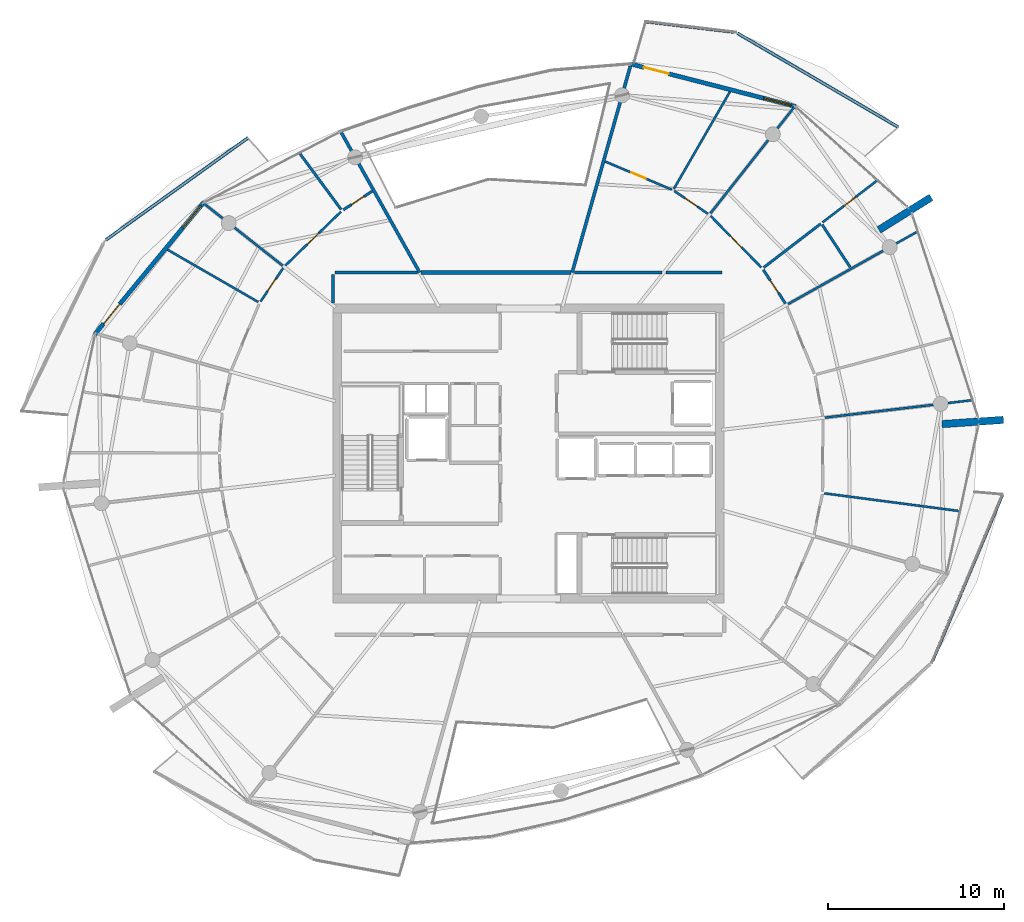
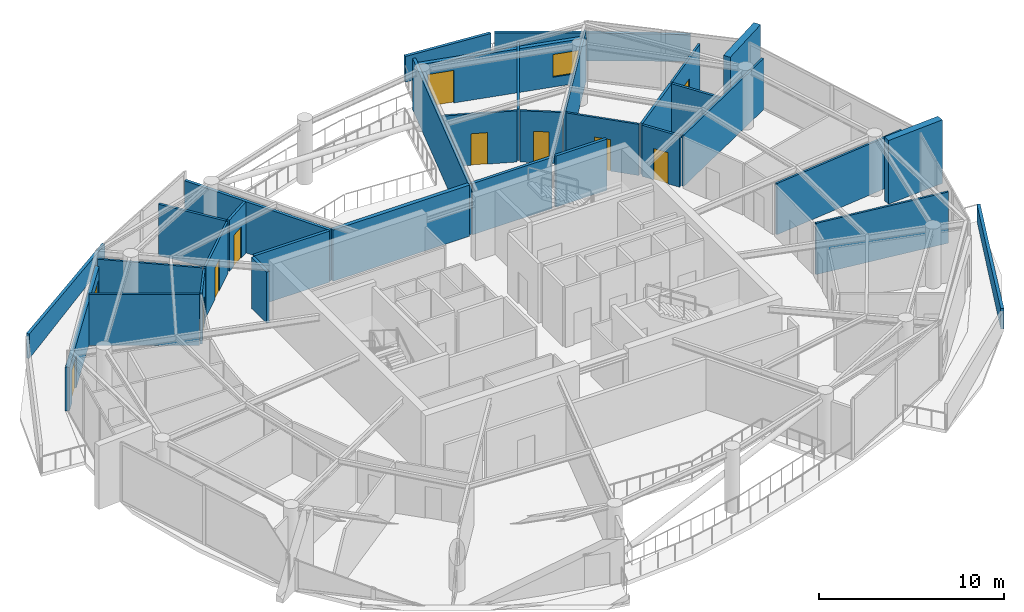
# One storey, part 16 of 22: 33 walls, 10 doors, 2 windows, 12 openings.
"""IFC4 building model written with IfcOpenShell, lengths in metres."""

from ifc_helpers import new_model, si_unit, direction, frame, frame_2d, origin, place, context, subcontext, project, spatial, polyline, rectangle, outline, extrude, material, layer, layer_set, type_object, element, fill, save


model = new_model("IFC4")

# Units and contexts
model_context = context("Model", 3, precision=1e-05, world=origin(), true_north=direction((0.0, 1.0)))
body_context = subcontext(model_context, "Body", "Model", "MODEL_VIEW")
ifc_project = project(units=[si_unit("LENGTHUNIT", "METRE"), si_unit("AREAUNIT", "SQUARE_METRE"), si_unit("VOLUMEUNIT", "CUBIC_METRE"), si_unit("PLANEANGLEUNIT", "RADIAN"), si_unit("MASSUNIT", "GRAM", prefix="KILO")], contexts=[model_context])

# Site, building, storey
site_placement = place(None, origin())
site = spatial("IfcSite", under=ifc_project, at=site_placement, CompositionType="ELEMENT")
building_placement = place(site_placement, origin())
building = spatial("IfcBuilding", under=site, at=building_placement, Name="Kazma Halo Residences", CompositionType="ELEMENT")
storey_placement = place(building_placement, frame((0.0, 0.0, 322.10009765625)))
storey = spatial("IfcBuildingStorey", under=building, at=storey_placement, Name="L81", CompositionType="ELEMENT", Elevation=322.10009765625)

# Walls
ifc_material_1 = material(Name="White Concrete C50/60 Balustrade", Category="concrete")
ifc_layer_1 = layer(ifc_material_1, 0.179931640625)
ifc_layer_set_1 = layer_set([ifc_layer_1], Name="White Concrete C50/60 Balustrade")
wall_type_1 = type_object("IfcWallType", Name="WL-BAL-WAVE-180", PredefinedType="PARAPET", material=ifc_layer_set_1)
wall_1_placement = place(storey_placement, frame((69.463134765625, 60.559326171875, 0.0), z_axis=(0.0, 0.0, 1.0), x_axis=(-0.863585787324, 0.504201931701, 0.0)))
element("IfcWall", 1, at=wall_1_placement, inside=storey, type_object=wall_type_1, Name="L81 white wave balustrade wall NE.1", PredefinedType="PARAPET", context=body_context, shape_type="SweptSolid", body=[
    extrude(outline(polyline([(0.0, 0.0), (10.595458984375, 0.0), (10.595703125, 1.831787109375), (5.2978515625, 1.852783203125), (0.0, 1.755859375), (0.0, 0.0)])), frame((0.0, 0.08984375, 0.0), z_axis=(0.0, -1.0, 0.0), x_axis=(1.0, 0.0, 0.0)), (0.0, 0.0, 1.0), 0.179931640625),
])
wall_2_placement = place(storey_placement, frame((60.090087890625, 65.976318359375, 0.0), z_axis=(0.0, 0.0, 1.0), x_axis=(-0.993029560094, 0.117865570802, 0.0)))
element("IfcWall", 2, at=wall_2_placement, inside=storey, type_object=wall_type_1, Name="L81 white wave balustrade wall NE.2", PredefinedType="PARAPET", context=body_context, shape_type="SweptSolid", body=[
    extrude(outline(polyline([(0.0, 0.0), (5.033447265625, 0.0), (5.03369140625, 1.700927734375), (0.0, 1.831787109375), (0.0, 0.0)])), frame((0.0, 0.08984375, 0.0), z_axis=(0.0, -1.0, 0.0), x_axis=(1.0, 0.0, 0.0)), (0.0, 0.0, 1.0), 0.179931640625),
])
wall_3_placement = place(storey_placement, frame((32.468994140625, 59.961181640625, 0.0), z_axis=(0.0, 0.0, 1.0), x_axis=(-0.812019730163, -0.583629983659, 0.0)))
element("IfcWall", 3, at=wall_3_placement, inside=storey, type_object=wall_type_1, Name="L81 white wave balustrade wall NW.1", PredefinedType="PARAPET", context=body_context, shape_type="SweptSolid", body=[
    extrude(outline(polyline([(0.0, 0.0), (9.9541015625, 0.0), (9.954345703125, 1.6318359375), (4.97705078125, 1.41796875), (0.0, 1.23291015625), (0.0, 0.0)])), frame((0.0, 0.08984375, 0.0), z_axis=(0.0, -1.0, 0.0), x_axis=(1.0, 0.0, 0.0)), (0.0, 0.0, 1.0), 0.179931640625),
])
wall_4_placement = place(storey_placement, frame((71.4033203125, 30.209716796875, 0.0), z_axis=(0.0, 0.0, 1.0), x_axis=(0.38743619069, 0.921896522471, 0.0)))
element("IfcWall", 4, at=wall_4_placement, inside=storey, type_object=wall_type_1, Name="L81 white wave balustrade wall SE.2", PredefinedType="PARAPET", context=body_context, shape_type="SweptSolid", body=[
    extrude(outline(polyline([(0.0, 0.0), (10.268798828125, 0.0), (10.26904296875, 1.119873046875), (5.134521484375, 1.181884765625), (0.0, 1.347900390625), (0.0, 0.0)])), frame((0.0, 0.08984375, 0.0), z_axis=(0.0, -1.0, 0.0), x_axis=(1.0, 0.0, 0.0)), (0.0, 0.0, 1.0), 0.179931640625),
])
ifc_material_2 = material(Name="Pale Concrete C60/75", Category="concrete")
ifc_layer_2 = layer(ifc_material_2, 0.419921875)
ifc_layer_set_2 = layer_set([ifc_layer_2], Name="Pale Concrete C60/75")
wall_type_2 = type_object("IfcWallType", Name="WL-BLADE-420", PredefinedType="SOLIDWALL", material=ifc_layer_set_2)
for number, where, z_axis, x_axis, name in (
    (5, (68.3525390625, 54.7177734375, 0.0), (0.0, 0.0, 1.0), (0.848053161125, 0.529911158502, 0.0), "L81 pale concrete structural blade fin wall BW-01"),
    (6, (71.94091796875, 43.674072265625, 0.0), (0.0, 0.0, 1.0), (0.997564163539, 0.069754853754, 0.0), "L81 pale concrete structural blade fin wall BW-04"),
):
    element("IfcWall", number, at=place(storey_placement, frame(where, z_axis=z_axis, x_axis=x_axis)), inside=storey, type_object=wall_type_2, Name=name, PredefinedType="SOLIDWALL", context=body_context, shape_type="SweptSolid", body=[
        extrude(rectangle(XDim=3.5, YDim=0.419921875, at=frame_2d((1.75, 0.0))), origin(), (0.0, 0.0, 1.0), 4.199951171875),
    ])
ifc_material_3 = material(Name="Acoustic Twin-Stud Gypsum")
ifc_layer_3 = layer(ifc_material_3, 0.179931640625)
ifc_layer_set_3 = layer_set([ifc_layer_3], Name="Acoustic Twin-Stud Gypsum")
wall_type_3 = type_object("IfcWallType", Name="WL-DEM-180", PredefinedType="PARTITIONING", material=ifc_layer_set_3)
wall_5_placement = place(storey_placement, frame((50.90478515625, 52.300048828125, 0.0), z_axis=(0.0, 0.0, 1.0), x_axis=(0.271453030279, 0.962451688321, 0.0)))
element("IfcWall", 7, at=wall_5_placement, inside=storey, type_object=wall_type_3, Name="L81 apartment demising radial wall 02", PredefinedType="PARTITIONING", context=body_context, shape_type="SweptSolid", body=[
    extrude(rectangle(XDim=12.191162109375, YDim=0.179931640625, at=frame_2d((6.095703125, 0.0))), origin(), (0.0, 0.0, 1.0), 3.3798828125),
])
wall_6_placement = place(storey_placement, frame((42.231689453125, 52.300048828125, 0.0), z_axis=(0.0, 0.0, 1.0), x_axis=(-0.488623665245, 0.872494649704, 0.0)))
element("IfcWall", 8, at=wall_6_placement, inside=storey, type_object=wall_type_3, Name="L81 apartment demising radial wall 04", PredefinedType="PARTITIONING", context=body_context, shape_type="SweptSolid", body=[
    extrude(rectangle(XDim=9.156982421875, YDim=0.179931640625, at=frame_2d((4.57861328125, 0.0))), origin(), (0.0, 0.0, 1.0), 3.3798828125),
])
wall_7_placement = place(storey_placement, frame((42.11181640625, 52.300048828125, 0.0), z_axis=(0.0, 0.0, 1.0), x_axis=(-1.0, 0.0, 0.0)))
element("IfcWall", 9, at=wall_7_placement, inside=storey, type_object=wall_type_3, Name="L81 Penthouse 1 inner wall 4", PredefinedType="PARTITIONING", context=body_context, shape_type="SweptSolid", body=[
    extrude(rectangle(XDim=4.69189453125, YDim=0.179931640625, at=frame_2d((2.345947265625, 0.0))), origin(), (0.0, 0.0, 1.0), 3.3798828125),
])
wall_8_placement = place(storey_placement, frame((37.300048828125, 52.179931640625, 0.0), z_axis=(0.0, 0.0, 1.0), x_axis=(0.0, -1.0, 0.0)))
element("IfcWall", 10, at=wall_8_placement, inside=storey, type_object=wall_type_3, Name="L81 Penthouse 1 inner wall 4", PredefinedType="PARTITIONING", context=body_context, shape_type="SweptSolid", body=[
    extrude(rectangle(XDim=1.624755859375, YDim=0.179931640625, at=frame_2d((0.8125, 0.0))), origin(), (0.0, 0.0, 1.0), 3.3798828125),
])
wall_9_placement = place(storey_placement, frame((59.429931640625, 52.300048828125, 0.0), z_axis=(0.0, 0.0, 1.0), x_axis=(-1.0, 0.0, 0.0)))
element("IfcWall", 11, at=wall_9_placement, inside=storey, type_object=wall_type_3, Name="L81 Penthouse 2 inner wall 0", PredefinedType="PARTITIONING", context=body_context, shape_type="SweptSolid", body=[
    extrude(rectangle(XDim=3.18994140625, YDim=0.179931640625, at=frame_2d((1.594970703125, 0.0))), origin(), (0.0, 0.0, 1.0), 3.3798828125),
])
wall_10_placement = place(storey_placement, frame((56.0, 52.300048828125, 0.0), z_axis=(0.0, 0.0, 1.0), x_axis=(-1.0, 0.0, 0.0)))
element("IfcWall", 12, at=wall_10_placement, inside=storey, type_object=wall_type_3, Name="L81 Penthouse 2 inner wall 1", PredefinedType="PARTITIONING", context=body_context, shape_type="SweptSolid", body=[
    extrude(rectangle(XDim=4.97509765625, YDim=0.179931640625, at=frame_2d((2.487548828125, 0.0))), origin(), (0.0, 0.0, 1.0), 3.3798828125),
])

# Wall, openings, door, window
ifc_material_4 = material(Name="Insulated Pale-Metal Composite Wall")
ifc_layer_4 = layer(ifc_material_4, 0.239990234375)
ifc_layer_set_4 = layer_set([ifc_layer_4], Name="Insulated Pale-Metal Composite Wall")
wall_type_4 = type_object("IfcWallType", Name="WL-EXT-HOST-240", PredefinedType="SOLIDWALL", material=ifc_layer_set_4)
wall_11_placement = place(storey_placement, frame((63.619873046875, 61.73974609375, 0.0), z_axis=(0.0, 0.0, 1.0), x_axis=(-0.968389062354, 0.249444630957, 0.0)))
wall_11 = element("IfcWall", 13, at=wall_11_placement, inside=storey, type_object=wall_type_4, Name="L81 exterior terrace-access wall B02", PredefinedType="SOLIDWALL", context=body_context, shape_type="SweptSolid", body=[
    extrude(rectangle(XDim=9.677734375, YDim=0.239990234375, at=frame_2d((4.8388671875, 0.0))), origin(), (0.0, 0.0, 1.0), 2.889892578125),
])
opening_1_placement = place(wall_11_placement, frame((7.457763671875, 0.0, 0.0)))
opening_1 = element("IfcOpeningElement", 14, at=opening_1_placement, cuts=wall_11, Name="Opening DTR-1600", PredefinedType="OPENING", context=body_context, shape_type="SweptSolid", body=[
    extrude(rectangle(XDim=1.449951171875, YDim=2.14990234375, at=frame_2d((0.72509765625, 1.074951171875))), frame((0.0, 0.1298828125, 0.0), z_axis=(0.0, -1.0, 0.0), x_axis=(1.0, 0.0, 0.0)), (0.0, 0.0, 1.0), 0.260009765625),
])
opening_2_placement = place(wall_11_placement, frame((0.280029296875, 0.0, 0.64990234375)))
opening_2 = element("IfcOpeningElement", 15, at=opening_2_placement, cuts=wall_11, Name="Opening W-1800", PredefinedType="OPENING", context=body_context, shape_type="SweptSolid", body=[
    extrude(rectangle(XDim=1.60009765625, YDim=1.5, at=frame_2d((0.800048828125, 0.75))), frame((0.0, 0.1298828125, 0.0), z_axis=(0.0, -1.0, 0.0), x_axis=(1.0, 0.0, 0.0)), (0.0, 0.0, 1.0), 0.260009765625),
])
ifc_material_5 = material(Name="Aluminium AW-6063 T6 Double-Glazed Terrace Door", Category="aluminium")
door_type_1 = type_object("IfcDoorType", Name="DR-EXT-TERR-1600", OperationType="NOTDEFINED", PredefinedType="DOOR", material=ifc_material_5)
door_1_placement = place(opening_1_placement, origin())
door_1 = element("IfcDoor", 16, at=door_1_placement, inside=storey, type_object=door_type_1, Name="L81 B02 balcony terrace door", OperationType="DOUBLE_DOOR_SLIDING", OverallHeight=2.14990234375, OverallWidth=1.449951171875, PredefinedType="DOOR", context=body_context, shape_type="SweptSolid", body=[
    extrude(rectangle(XDim=1.449951171875, YDim=2.14990234375, at=frame_2d((0.72509765625, 1.074951171875))), frame((0.0, 0.02490234375, 0.0), z_axis=(0.0, -1.0, 0.0), x_axis=(1.0, 0.0, 0.0)), (0.0, 0.0, 1.0), 0.050048828125),
])
fill(opening_1, door_1)
ifc_material_6 = material(Name="Clear Triple-Silver Low-E Glass in Aluminium AW-6063 T6 Frame", Category="aluminium")
window_type = type_object("IfcWindowType", Name="WIN-RES-1800", PartitioningType="DOUBLE_PANEL_VERTICAL", PredefinedType="WINDOW", material=ifc_material_6)
window_1_placement = place(opening_2_placement, origin())
window_1 = element("IfcWindow", 17, at=window_1_placement, inside=storey, type_object=window_type, Name="L81 B02 apartment window", OverallHeight=1.5, OverallWidth=1.60009765625, PartitioningType="SINGLE_PANEL", PredefinedType="WINDOW", context=body_context, shape_type="SweptSolid", body=[
    extrude(rectangle(XDim=1.60009765625, YDim=1.5, at=frame_2d((0.800048828125, 0.75))), frame((0.0, 0.030029296875, 0.0), z_axis=(0.0, -1.0, 0.0), x_axis=(1.0, 0.0, 0.0)), (0.0, 0.0, 1.0), 0.06005859375),
])
fill(opening_2, window_1)

wall_12_placement = place(storey_placement, frame((29.955322265625, 56.288818359375, 0.0), z_axis=(0.0, 0.0, 1.0), x_axis=(-0.636803612721, -0.771026042897, 0.0)))
wall_12 = element("IfcWall", 18, at=wall_12_placement, inside=storey, type_object=wall_type_4, Name="L81 exterior terrace-access wall B06", PredefinedType="SOLIDWALL", context=body_context, shape_type="SweptSolid", body=[
    extrude(rectangle(XDim=9.7275390625, YDim=0.239990234375, at=frame_2d((4.86376953125, 0.0))), origin(), (0.0, 0.0, 1.0), 2.889892578125),
])
opening_3_placement = place(wall_12_placement, frame((7.5078125, 0.0, 0.0)))
opening_3 = element("IfcOpeningElement", 19, at=opening_3_placement, cuts=wall_12, Name="Opening DTR-1600", PredefinedType="OPENING", context=body_context, shape_type="SweptSolid", body=[
    extrude(rectangle(XDim=1.449951171875, YDim=2.14990234375, at=frame_2d((0.72509765625, 1.074951171875))), frame((0.0, 0.1298828125, 0.0), z_axis=(0.0, -1.0, 0.0), x_axis=(1.0, 0.0, 0.0)), (0.0, 0.0, 1.0), 0.260009765625),
])
opening_4_placement = place(wall_12_placement, frame((0.280029296875, 0.0, 0.64990234375)))
opening_4 = element("IfcOpeningElement", 20, at=opening_4_placement, cuts=wall_12, Name="Opening W-1800", PredefinedType="OPENING", context=body_context, shape_type="SweptSolid", body=[
    extrude(rectangle(XDim=1.60009765625, YDim=1.5, at=frame_2d((0.800048828125, 0.75))), frame((0.0, 0.1298828125, 0.0), z_axis=(0.0, -1.0, 0.0), x_axis=(1.0, 0.0, 0.0)), (0.0, 0.0, 1.0), 0.260009765625),
])
door_2_placement = place(opening_3_placement, origin())
door_2 = element("IfcDoor", 21, at=door_2_placement, inside=storey, type_object=door_type_1, Name="L81 B06 balcony terrace door", OperationType="DOUBLE_DOOR_SLIDING", OverallHeight=2.14990234375, OverallWidth=1.449951171875, PredefinedType="DOOR", context=body_context, shape_type="SweptSolid", body=[
    extrude(rectangle(XDim=1.449951171875, YDim=2.14990234375, at=frame_2d((0.72509765625, 1.074951171875))), frame((0.0, 0.02490234375, 0.0), z_axis=(0.0, -1.0, 0.0), x_axis=(1.0, 0.0, 0.0)), (0.0, 0.0, 1.0), 0.050048828125),
])
fill(opening_3, door_2)
window_2_placement = place(opening_4_placement, origin())
window_2 = element("IfcWindow", 22, at=window_2_placement, inside=storey, type_object=window_type, Name="L81 B06 apartment window", OverallHeight=1.5, OverallWidth=1.60009765625, PartitioningType="SINGLE_PANEL", PredefinedType="WINDOW", context=body_context, shape_type="SweptSolid", body=[
    extrude(rectangle(XDim=1.60009765625, YDim=1.5, at=frame_2d((0.800048828125, 0.75))), frame((0.0, 0.030029296875, 0.0), z_axis=(0.0, -1.0, 0.0), x_axis=(1.0, 0.0, 0.0)), (0.0, 0.0, 1.0), 0.06005859375),
])
fill(opening_4, window_2)

# Wall
wall_13_placement = place(storey_placement, frame((50.8349609375, 52.300048828125, 0.0), z_axis=(0.0, 0.0, 1.0), x_axis=(-1.0, 0.0, 0.0)))
element("IfcWall", 23, at=wall_13_placement, inside=storey, type_object=wall_type_4, Name="L81 wind-portal core closure wall", PredefinedType="SOLIDWALL", context=body_context, shape_type="SweptSolid", body=[
    extrude(rectangle(XDim=8.533203125, YDim=0.239990234375, at=frame_2d((4.2666015625, 0.0))), origin(), (0.0, 0.0, 1.0), 3.3798828125),
])

# Wall, opening, door
ifc_material_7 = material(Name="Gypsum Plasterboard Partition")
ifc_layer_5 = layer(ifc_material_7, 0.125)
ifc_layer_set_5 = layer_set([ifc_layer_5], Name="Gypsum Plasterboard Partition")
wall_type_5 = type_object("IfcWallType", Name="WL-PART-125", PredefinedType="PARTITIONING", material=ifc_layer_set_5)
wall_14_placement = place(storey_placement, frame((37.749267578125, 55.7509765625, 0.0), z_axis=(0.0, 0.0, 1.0), x_axis=(-0.718380815069, -0.695650058967, 0.0)))
wall_14 = element("IfcWall", 24, at=wall_14_placement, inside=storey, type_object=wall_type_5, Name="L81 Penthouse 1 Gourmet Kitchen hall wall", PredefinedType="PARTITIONING", context=body_context, shape_type="SweptSolid", body=[
    extrude(rectangle(XDim=4.392822265625, YDim=0.125, at=frame_2d((2.1962890625, 0.0))), origin(), (0.0, 0.0, 1.0), 3.3798828125),
])
opening_5_placement = place(wall_14_placement, frame((1.746337890625, 0.0, 0.0)))
opening_5 = element("IfcOpeningElement", 25, at=opening_5_placement, cuts=wall_14, Name="Opening DI-950", PredefinedType="OPENING", context=body_context, shape_type="SweptSolid", body=[
    extrude(rectangle(XDim=0.89990234375, YDim=2.080078125, at=frame_2d((0.449951171875, 1.0400390625))), frame((0.0, 0.072509765625, 0.0), z_axis=(0.0, -1.0, 0.0), x_axis=(1.0, 0.0, 0.0)), (0.0, 0.0, 1.0), 0.14501953125),
])
ifc_material_8 = material(Name="Timber Veneer Flush Leaf", Category="wood")
door_type_2 = type_object("IfcDoorType", Name="DR-INT-950", OperationType="NOTDEFINED", PredefinedType="DOOR", material=ifc_material_8)
door_3_placement = place(opening_5_placement, origin())
door_3 = element("IfcDoor", 26, at=door_3_placement, inside=storey, type_object=door_type_2, Name="L81 Penthouse 1 Gourmet Kitchen door", OperationType="SINGLE_SWING_RIGHT", OverallHeight=2.080078125, OverallWidth=0.89990234375, PredefinedType="DOOR", context=body_context, shape_type="SweptSolid", body=[
    extrude(rectangle(XDim=0.89990234375, YDim=2.080078125, at=frame_2d((0.449951171875, 1.0400390625))), frame((0.0, 0.02490234375, 0.0), z_axis=(0.0, -1.0, 0.0), x_axis=(1.0, 0.0, 0.0)), (0.0, 0.0, 1.0), 0.050048828125),
])
fill(opening_5, door_3)

# Walls
wall_15_placement = place(storey_placement, frame((34.443115234375, 52.6875, 0.0), z_axis=(0.0, 0.0, 1.0), x_axis=(-0.785329715116, 0.61907773224, 0.0)))
element("IfcWall", 27, at=wall_15_placement, inside=storey, type_object=wall_type_5, Name="L81 Penthouse 1 radial partition 5", PredefinedType="PARTITIONING", context=body_context, shape_type="SweptSolid", body=[
    extrude(rectangle(XDim=5.72998046875, YDim=0.125, at=frame_2d((2.864990234375, 0.0))), origin(), (0.0, 0.0, 1.0), 3.3798828125),
])
wall_16_placement = place(storey_placement, frame((33.053955078125, 50.61865234375, 0.0), z_axis=(0.0, 0.0, 1.0), x_axis=(-0.86627763932, 0.499562860524, 0.0)))
element("IfcWall", 28, at=wall_16_placement, inside=storey, type_object=wall_type_5, Name="L81 Penthouse 1 mid-bay wall 5", PredefinedType="PARTITIONING", context=body_context, shape_type="SweptSolid", body=[
    extrude(rectangle(XDim=5.959716796875, YDim=0.125, at=frame_2d((2.97998046875, 0.0))), origin(), (0.0, 0.0, 1.0), 3.3798828125),
])

# Wall, opening, door
wall_17_placement = place(storey_placement, frame((34.465576171875, 52.542724609375, 0.0), z_axis=(0.0, 0.0, 1.0), x_axis=(-0.560789421623, -0.827958467917, 0.0)))
wall_17 = element("IfcWall", 29, at=wall_17_placement, inside=storey, type_object=wall_type_5, Name="L81 Penthouse 1 Primary Wine Pantry Store hall wall", PredefinedType="PARTITIONING", context=body_context, shape_type="SweptSolid", body=[
    extrude(rectangle(XDim=2.29833984375, YDim=0.125, at=frame_2d((1.149169921875, 0.0))), origin(), (0.0, 0.0, 1.0), 3.3798828125),
])
opening_6_placement = place(wall_17_placement, frame((0.72412109375, 0.0, 0.0)))
opening_6 = element("IfcOpeningElement", 30, at=opening_6_placement, cuts=wall_17, Name="Opening DB-900", PredefinedType="OPENING", context=body_context, shape_type="SweptSolid", body=[
    extrude(rectangle(XDim=0.85009765625, YDim=2.06005859375, at=frame_2d((0.425048828125, 1.030029296875))), frame((0.0, 0.072509765625, 0.0), z_axis=(0.0, -1.0, 0.0), x_axis=(1.0, 0.0, 0.0)), (0.0, 0.0, 1.0), 0.14501953125),
])
ifc_material_9 = material(Name="Moisture-Sealed Timber Leaf", Category="wood")
door_type_3 = type_object("IfcDoorType", Name="DR-BTH-900", OperationType="NOTDEFINED", PredefinedType="DOOR", material=ifc_material_9)
door_4_placement = place(opening_6_placement, origin())
door_4 = element("IfcDoor", 31, at=door_4_placement, inside=storey, type_object=door_type_3, Name="L81 Penthouse 1 Primary Wine Pantry Store door", OperationType="SINGLE_SWING_LEFT", OverallHeight=2.06005859375, OverallWidth=0.85009765625, PredefinedType="DOOR", context=body_context, shape_type="SweptSolid", body=[
    extrude(rectangle(XDim=0.85009765625, YDim=2.06005859375, at=frame_2d((0.425048828125, 1.030029296875))), frame((0.0, 0.02490234375, 0.0), z_axis=(0.0, -1.0, 0.0), x_axis=(1.0, 0.0, 0.0)), (0.0, 0.0, 1.0), 0.050048828125),
])
fill(opening_6, door_4)

# Walls
wall_18_placement = place(storey_placement, frame((65.23828125, 39.73974609375, 0.0), z_axis=(0.0, 0.0, 1.0), x_axis=(0.991512783403, -0.130009231784, 0.0)))
element("IfcWall", 32, at=wall_18_placement, inside=storey, type_object=wall_type_5, Name="L81 Penthouse 2 mid-bay wall 14", PredefinedType="PARTITIONING", context=body_context, shape_type="SweptSolid", body=[
    extrude(rectangle(XDim=7.7724609375, YDim=0.125, at=frame_2d((3.88623046875, 0.0))), origin(), (0.0, 0.0, 1.0), 3.3798828125),
])
wall_19_placement = place(storey_placement, frame((65.275390625, 44.044677734375, 0.0), z_axis=(0.0, 0.0, 1.0), x_axis=(0.993069210767, 0.117531028353, 0.0)))
element("IfcWall", 33, at=wall_19_placement, inside=storey, type_object=wall_type_5, Name="L81 Penthouse 2 radial partition 15", PredefinedType="PARTITIONING", context=body_context, shape_type="SweptSolid", body=[
    extrude(rectangle(XDim=8.43994140625, YDim=0.125, at=frame_2d((4.219970703125, 0.0))), origin(), (0.0, 0.0, 1.0), 3.3798828125),
])
wall_20_placement = place(storey_placement, frame((63.177978515625, 50.5, 0.0), z_axis=(0.0, 0.0, 1.0), x_axis=(0.872495656661, 0.488621867201, 0.0)))
element("IfcWall", 34, at=wall_20_placement, inside=storey, type_object=wall_type_5, Name="L81 Penthouse 2 radial partition 0", PredefinedType="PARTITIONING", context=body_context, shape_type="SweptSolid", body=[
    extrude(rectangle(XDim=8.439697265625, YDim=0.125, at=frame_2d((4.2197265625, 0.0))), origin(), (0.0, 0.0, 1.0), 3.3798828125),
])

# Wall, opening, door
wall_21_placement = place(storey_placement, frame((65.14453125, 55.1484375, 0.0), z_axis=(0.0, 0.0, 1.0), x_axis=(0.793528924523, 0.608532534829, 0.0)))
wall_21 = element("IfcWall", 35, at=wall_21_placement, inside=storey, type_object=wall_type_5, Name="L81 Penthouse 2 South Walk-In Wardrobe partition wall", PredefinedType="PARTITIONING", context=body_context, shape_type="SweptSolid", body=[
    extrude(rectangle(XDim=3.90771484375, YDim=0.125, at=frame_2d((1.953857421875, 0.0))), origin(), (0.0, 0.0, 1.0), 3.3798828125),
])
opening_7_placement = place(wall_21_placement, frame((1.52880859375, 0.0, 0.0)))
opening_7 = element("IfcOpeningElement", 36, at=opening_7_placement, cuts=wall_21, Name="Opening DB-900", PredefinedType="OPENING", context=body_context, shape_type="SweptSolid", body=[
    extrude(rectangle(XDim=0.85009765625, YDim=2.06005859375, at=frame_2d((0.425048828125, 1.030029296875))), frame((0.0, 0.072509765625, 0.0), z_axis=(0.0, -1.0, 0.0), x_axis=(1.0, 0.0, 0.0)), (0.0, 0.0, 1.0), 0.14501953125),
])
door_5_placement = place(opening_7_placement, origin())
door_5 = element("IfcDoor", 37, at=door_5_placement, inside=storey, type_object=door_type_3, Name="L81 Penthouse 2 South Walk-In Wardrobe door", OperationType="SINGLE_SWING_LEFT", OverallHeight=2.06005859375, OverallWidth=0.85009765625, PredefinedType="DOOR", context=body_context, shape_type="SweptSolid", body=[
    extrude(rectangle(XDim=0.85009765625, YDim=2.06005859375, at=frame_2d((0.425048828125, 1.030029296875))), frame((0.0, 0.02490234375, 0.0), z_axis=(0.0, -1.0, 0.0), x_axis=(1.0, 0.0, 0.0)), (0.0, 0.0, 1.0), 0.050048828125),
])
fill(opening_7, door_5)

wall_22_placement = place(storey_placement, frame((61.661376953125, 52.589599609375, 0.0), z_axis=(0.0, 0.0, 1.0), x_axis=(-0.702362959416, 0.711818989098, 0.0)))
wall_22 = element("IfcWall", 38, at=wall_22_placement, inside=storey, type_object=wall_type_5, Name="L81 Penthouse 2 Inner Master Bedroom hall wall", PredefinedType="PARTITIONING", context=body_context, shape_type="SweptSolid", body=[
    extrude(rectangle(XDim=4.105224609375, YDim=0.125, at=frame_2d((2.052734375, 0.0))), origin(), (0.0, 0.0, 1.0), 3.3798828125),
])
opening_8_placement = place(wall_22_placement, frame((1.6025390625, 0.0, 0.0)))
opening_8 = element("IfcOpeningElement", 39, at=opening_8_placement, cuts=wall_22, Name="Opening DI-950", PredefinedType="OPENING", context=body_context, shape_type="SweptSolid", body=[
    extrude(rectangle(XDim=0.89990234375, YDim=2.080078125, at=frame_2d((0.449951171875, 1.0400390625))), frame((0.0, 0.072509765625, 0.0), z_axis=(0.0, -1.0, 0.0), x_axis=(1.0, 0.0, 0.0)), (0.0, 0.0, 1.0), 0.14501953125),
])
door_6_placement = place(opening_8_placement, origin())
door_6 = element("IfcDoor", 40, at=door_6_placement, inside=storey, type_object=door_type_2, Name="L81 Penthouse 2 Inner Master Bedroom door", OperationType="SINGLE_SWING_RIGHT", OverallHeight=2.080078125, OverallWidth=0.89990234375, PredefinedType="DOOR", context=body_context, shape_type="SweptSolid", body=[
    extrude(rectangle(XDim=0.89990234375, YDim=2.080078125, at=frame_2d((0.449951171875, 1.0400390625))), frame((0.0, 0.02490234375, 0.0), z_axis=(0.0, -1.0, 0.0), x_axis=(1.0, 0.0, 0.0)), (0.0, 0.0, 1.0), 0.050048828125),
])
fill(opening_8, door_6)

# Walls
wall_23_placement = place(storey_placement, frame((58.769775390625, 55.661376953125, 0.0), z_axis=(0.0, 0.0, 1.0), x_axis=(0.619087123863, 0.785322311581, 0.0)))
element("IfcWall", 41, at=wall_23_placement, inside=storey, type_object=wall_type_5, Name="L81 Penthouse 2 radial partition 1", PredefinedType="PARTITIONING", context=body_context, shape_type="SweptSolid", body=[
    extrude(rectangle(XDim=7.73095703125, YDim=0.125, at=frame_2d((3.865478515625, 0.0))), origin(), (0.0, 0.0, 1.0), 3.3798828125),
])
wall_24_placement = place(storey_placement, frame((56.69091796875, 57.057861328125, 0.0), z_axis=(0.0, 0.0, 1.0), x_axis=(0.499874948847, 0.866097590065, 0.0)))
element("IfcWall", 42, at=wall_24_placement, inside=storey, type_object=wall_type_5, Name="L81 Penthouse 2 mid-bay wall 1", PredefinedType="PARTITIONING", context=body_context, shape_type="SweptSolid", body=[
    extrude(rectangle(XDim=6.375244140625, YDim=0.125, at=frame_2d((3.1875, 0.0))), origin(), (0.0, 0.0, 1.0), 3.3798828125),
])

# Wall, opening, door
wall_25_placement = place(storey_placement, frame((58.625, 55.638916015625, 0.0), z_axis=(0.0, 0.0, 1.0), x_axis=(-0.827849047739, 0.560950937389, 0.0)))
wall_25 = element("IfcWall", 43, at=wall_25_placement, inside=storey, type_object=wall_type_5, Name="L81 Penthouse 2 Outer Dressing Wardrobe hall wall", PredefinedType="PARTITIONING", context=body_context, shape_type="SweptSolid", body=[
    extrude(rectangle(XDim=2.310546875, YDim=0.125, at=frame_2d((1.1552734375, 0.0))), origin(), (0.0, 0.0, 1.0), 3.3798828125),
])
opening_9_placement = place(wall_25_placement, frame((0.730224609375, 0.0, 0.0)))
opening_9 = element("IfcOpeningElement", 44, at=opening_9_placement, cuts=wall_25, Name="Opening DB-900", PredefinedType="OPENING", context=body_context, shape_type="SweptSolid", body=[
    extrude(rectangle(XDim=0.85009765625, YDim=2.06005859375, at=frame_2d((0.425048828125, 1.030029296875))), frame((0.0, 0.072509765625, 0.0), z_axis=(0.0, -1.0, 0.0), x_axis=(1.0, 0.0, 0.0)), (0.0, 0.0, 1.0), 0.14501953125),
])
door_7_placement = place(opening_9_placement, origin())
door_7 = element("IfcDoor", 45, at=door_7_placement, inside=storey, type_object=door_type_3, Name="L81 Penthouse 2 Outer Dressing Wardrobe door", OperationType="SINGLE_SWING_LEFT", OverallHeight=2.06005859375, OverallWidth=0.85009765625, PredefinedType="DOOR", context=body_context, shape_type="SweptSolid", body=[
    extrude(rectangle(XDim=0.85009765625, YDim=2.06005859375, at=frame_2d((0.425048828125, 1.030029296875))), frame((0.0, 0.02490234375, 0.0), z_axis=(0.0, -1.0, 0.0), x_axis=(1.0, 0.0, 0.0)), (0.0, 0.0, 1.0), 0.050048828125),
])
fill(opening_9, door_7)

wall_26_placement = place(storey_placement, frame((56.572265625, 57.010986328125, 0.0), z_axis=(0.0, 0.0, 1.0), x_axis=(-0.921389099209, 0.388641387219, 0.0)))
wall_26 = element("IfcWall", 46, at=wall_26_placement, inside=storey, type_object=wall_type_5, Name="L81 Penthouse 2 Corner Master Bedroom hall wall", PredefinedType="PARTITIONING", context=body_context, shape_type="SweptSolid", body=[
    extrude(rectangle(XDim=4.1083984375, YDim=0.125, at=frame_2d((2.05419921875, 0.0))), origin(), (0.0, 0.0, 1.0), 3.3798828125),
])
opening_10_placement = place(wall_26_placement, frame((1.604248046875, 0.0, 0.0)))
opening_10 = element("IfcOpeningElement", 47, at=opening_10_placement, cuts=wall_26, Name="Opening DI-950", PredefinedType="OPENING", context=body_context, shape_type="SweptSolid", body=[
    extrude(rectangle(XDim=0.89990234375, YDim=2.080078125, at=frame_2d((0.449951171875, 1.0400390625))), frame((0.0, 0.072509765625, 0.0), z_axis=(0.0, -1.0, 0.0), x_axis=(1.0, 0.0, 0.0)), (0.0, 0.0, 1.0), 0.14501953125),
])
door_8_placement = place(opening_10_placement, origin())
door_8 = element("IfcDoor", 48, at=door_8_placement, inside=storey, type_object=door_type_2, Name="L81 Penthouse 2 Corner Master Bedroom door", OperationType="SINGLE_SWING_RIGHT", OverallHeight=2.080078125, OverallWidth=0.89990234375, PredefinedType="DOOR", context=body_context, shape_type="SweptSolid", body=[
    extrude(rectangle(XDim=0.89990234375, YDim=2.080078125, at=frame_2d((0.449951171875, 1.0400390625))), frame((0.0, 0.02490234375, 0.0), z_axis=(0.0, -1.0, 0.0), x_axis=(1.0, 0.0, 0.0)), (0.0, 0.0, 1.0), 0.050048828125),
])
fill(opening_10, door_8)

ifc_material_10 = material(Name="Moisture-Resistant Gypsum")
ifc_layer_6 = layer(ifc_material_10, 0.14990234375)
ifc_layer_set_6 = layer_set([ifc_layer_6], Name="Moisture-Resistant Gypsum")
wall_type_6 = type_object("IfcWallType", Name="WL-WET-150", PredefinedType="PARTITIONING", material=ifc_layer_set_6)
wall_27_placement = place(storey_placement, frame((39.52978515625, 56.92041015625, 0.0), z_axis=(0.0, 0.0, 1.0), x_axis=(-0.840344430655, -0.542052799889, 0.0)))
wall_27 = element("IfcWall", 49, at=wall_27_placement, inside=storey, type_object=wall_type_6, Name="L81 Penthouse 1 Guest Bathroom hall wall", PredefinedType="PARTITIONING", context=body_context, shape_type="SweptSolid", body=[
    extrude(rectangle(XDim=1.9521484375, YDim=0.14990234375, at=frame_2d((0.97607421875, 0.0))), origin(), (0.0, 0.0, 1.0), 3.3798828125),
])
opening_11_placement = place(wall_27_placement, frame((0.551025390625, 0.0, 0.0)))
opening_11 = element("IfcOpeningElement", 50, at=opening_11_placement, cuts=wall_27, Name="Opening DB-900", PredefinedType="OPENING", context=body_context, shape_type="SweptSolid", body=[
    extrude(rectangle(XDim=0.85009765625, YDim=2.06005859375, at=frame_2d((0.425048828125, 1.030029296875))), frame((0.0, 0.0849609375, 0.0), z_axis=(0.0, -1.0, 0.0), x_axis=(1.0, 0.0, 0.0)), (0.0, 0.0, 1.0), 0.169921875),
])
door_9_placement = place(opening_11_placement, origin())
door_9 = element("IfcDoor", 51, at=door_9_placement, inside=storey, type_object=door_type_3, Name="L81 Penthouse 1 Guest Bathroom door", OperationType="SINGLE_SWING_RIGHT", OverallHeight=2.06005859375, OverallWidth=0.85009765625, PredefinedType="DOOR", context=body_context, shape_type="SweptSolid", body=[
    extrude(rectangle(XDim=0.85009765625, YDim=2.06005859375, at=frame_2d((0.425048828125, 1.030029296875))), frame((0.0, 0.02490234375, 0.0), z_axis=(0.0, -1.0, 0.0), x_axis=(1.0, 0.0, 0.0)), (0.0, 0.0, 1.0), 0.050048828125),
])
fill(opening_11, door_9)

# Wall
wall_28_placement = place(storey_placement, frame((37.760498046875, 55.885986328125, 0.0), z_axis=(0.0, 0.0, 1.0), x_axis=(-0.593476725003, 0.804851152002, 0.0)))
element("IfcWall", 52, at=wall_28_placement, inside=storey, type_object=wall_type_6, Name="L81 Penthouse 1 Guest Bathroom side wall", PredefinedType="PARTITIONING", context=body_context, shape_type="SweptSolid", body=[
    extrude(rectangle(XDim=3.958251953125, YDim=0.14990234375, at=frame_2d((1.97900390625, 0.0))), origin(), (0.0, 0.0, 1.0), 3.3798828125),
])

# Wall, opening, door
wall_29_placement = place(storey_placement, frame((63.03564453125, 50.53466796875, 0.0), z_axis=(0.0, 0.0, 1.0), x_axis=(-0.549999623906, 0.835164902102, 0.0)))
wall_29 = element("IfcWall", 53, at=wall_29_placement, inside=storey, type_object=wall_type_6, Name="L81 Penthouse 2 North En-Suite Bathroom hall wall", PredefinedType="PARTITIONING", context=body_context, shape_type="SweptSolid", body=[
    extrude(rectangle(XDim=2.293701171875, YDim=0.14990234375, at=frame_2d((1.14697265625, 0.0))), origin(), (0.0, 0.0, 1.0), 3.3798828125),
])
opening_12_placement = place(wall_29_placement, frame((0.721923828125, 0.0, 0.0)))
opening_12 = element("IfcOpeningElement", 54, at=opening_12_placement, cuts=wall_29, Name="Opening DB-900", PredefinedType="OPENING", context=body_context, shape_type="SweptSolid", body=[
    extrude(rectangle(XDim=0.85009765625, YDim=2.06005859375, at=frame_2d((0.425048828125, 1.030029296875))), frame((0.0, 0.0849609375, 0.0), z_axis=(0.0, -1.0, 0.0), x_axis=(1.0, 0.0, 0.0)), (0.0, 0.0, 1.0), 0.169921875),
])
door_10_placement = place(opening_12_placement, origin())
door_10 = element("IfcDoor", 55, at=door_10_placement, inside=storey, type_object=door_type_3, Name="L81 Penthouse 2 North En-Suite Bathroom door", OperationType="SINGLE_SWING_RIGHT", OverallHeight=2.06005859375, OverallWidth=0.85009765625, PredefinedType="DOOR", context=body_context, shape_type="SweptSolid", body=[
    extrude(rectangle(XDim=0.85009765625, YDim=2.06005859375, at=frame_2d((0.425048828125, 1.030029296875))), frame((0.0, 0.02490234375, 0.0), z_axis=(0.0, -1.0, 0.0), x_axis=(1.0, 0.0, 0.0)), (0.0, 0.0, 1.0), 0.050048828125),
])
fill(opening_12, door_10)

# Walls
wall_30_placement = place(storey_placement, frame((66.717529296875, 52.5966796875, 0.0), z_axis=(0.0, 0.0, 1.0), x_axis=(-0.54998913708, 0.835171808129, 0.0)))
element("IfcWall", 56, at=wall_30_placement, inside=storey, type_object=wall_type_6, Name="L81 Penthouse 2 North En-Suite Bathroom back wall", PredefinedType="PARTITIONING", context=body_context, shape_type="SweptSolid", body=[
    extrude(rectangle(XDim=2.899658203125, YDim=0.14990234375, at=frame_2d((1.44970703125, 0.0))), origin(), (0.0, 0.0, 1.0), 3.3798828125),
])
wall_31_placement = place(storey_placement, frame((61.7958984375, 52.580322265625, 0.0), z_axis=(0.0, 0.0, 1.0), x_axis=(0.793521809887, 0.608541812231, 0.0)))
element("IfcWall", 57, at=wall_31_placement, inside=storey, type_object=wall_type_6, Name="L81 Penthouse 2 North En-Suite Bathroom side wall", PredefinedType="PARTITIONING", context=body_context, shape_type="SweptSolid", body=[
    extrude(rectangle(XDim=4.090087890625, YDim=0.14990234375, at=frame_2d((2.044921875, 0.0))), origin(), (0.0, 0.0, 1.0), 3.3798828125),
])

save(model, "model.ifc")
